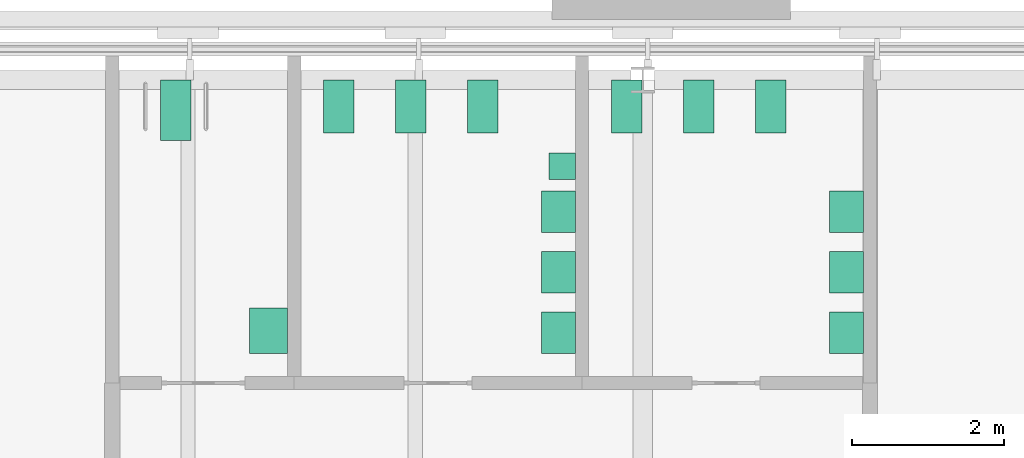
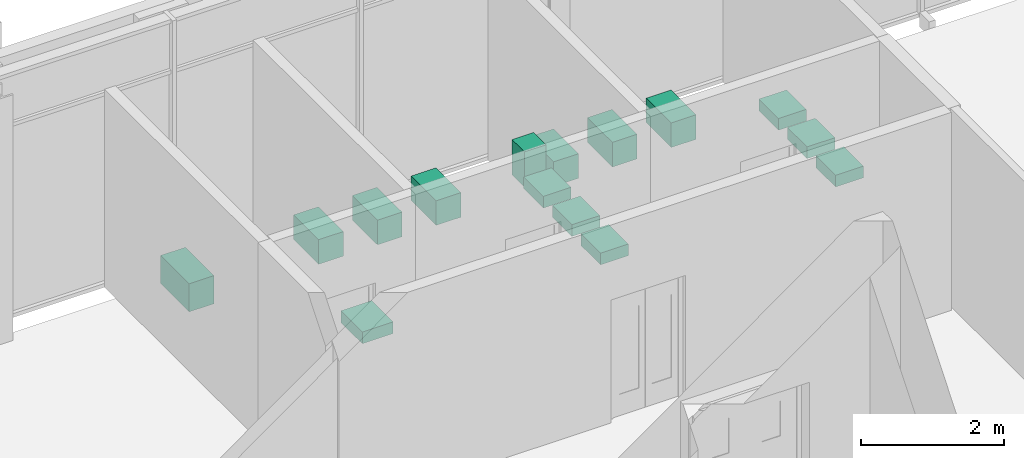
# One storey, part 22 of 22: 15 sanitary terminals.
"""IFC4 building model written with IfcOpenShell, lengths in metres."""

import ifcopenshell
import ifcopenshell.guid

model = None  # the IFC model being written
_history = None  # IfcOwnerHistory: only IFC2X3 demands one
_inside = {}  # id of a spatial element -> (the spatial element, [elements in it])
_under = {}  # id of a project, library or spatial element -> (it, [spatial elements below it])
_declared = {}  # id of a project -> (the project, [libraries it declares])
_typed = {}  # id of a type object -> (the type object, [elements of that type])
_made_of = {}  # id of a material, layer set ... -> (it, [elements and type objects made of it])


def new_model(schema):
    """Start an empty IFC model of exactly this schema.

    Asked for "IFC4X3", IfcOpenShell would pick the latest addendum, in which some entities
    have other attributes; the version numbers below select the first issue.
    IFC2X3 requires an IfcOwnerHistory on every rooted entity: one is made here for all.
    """
    global model, _history
    if schema == "IFC4X3":
        model = ifcopenshell.file(schema_version=(4, 3, 0, 0))
    else:
        model = ifcopenshell.file(schema=schema)
    _inside.clear()
    _under.clear()
    _declared.clear()
    _typed.clear()
    _made_of.clear()
    _history = None
    if model.schema == "IFC2X3":
        org = make("IfcOrganization", Name="unknown")
        user = make(
            "IfcPersonAndOrganization",
            ThePerson=make("IfcPerson", FamilyName="unknown"),
            TheOrganization=org,
        )
        app = make(
            "IfcApplication",
            ApplicationDeveloper=org,
            Version="unknown",
            ApplicationFullName="unknown",
            ApplicationIdentifier="unknown",
        )
        _history = make(
            "IfcOwnerHistory",
            OwningUser=user,
            OwningApplication=app,
            ChangeAction="ADDED",
            CreationDate=0,
        )
    return model


def make(cls, **values):
    """One entity of the class cls with the attributes given. An attribute that is None is left unset."""
    return model.create_entity(
        cls, **{name: value for name, value in values.items() if value is not None}
    )


def rooted(cls, **values):
    """An entity with a GlobalId (a new one), such as an element, a storey or a relation."""
    return make(cls, GlobalId=ifcopenshell.guid.new(), OwnerHistory=_history, **values)


def si_unit(unit_type, name, prefix=None):
    """IfcSIUnit, for example si_unit("LENGTHUNIT", "METRE", prefix="MILLI")."""
    return make("IfcSIUnit", UnitType=unit_type, Prefix=prefix, Name=name)


def assignment(units):
    """IfcUnitAssignment: the units of a project."""
    return None if units is None else make("IfcUnitAssignment", Units=units)


def point(xyz):
    """IfcCartesianPoint."""
    return None if xyz is None else make("IfcCartesianPoint", Coordinates=xyz)


def direction(xyz):
    """IfcDirection."""
    return None if xyz is None else make("IfcDirection", DirectionRatios=xyz)


def frame(location, z_axis=None, x_axis=None):
    """IfcAxis2Placement3D, a coordinate frame: its origin and axes. An axis left out is left unset."""
    return make(
        "IfcAxis2Placement3D",
        Location=point(location),
        Axis=direction(z_axis),
        RefDirection=direction(x_axis),
    )


def frame_2d(location, x_axis=None):
    """IfcAxis2Placement2D, a coordinate frame in the plane: its origin and x axis."""
    return make(
        "IfcAxis2Placement2D", Location=point(location), RefDirection=direction(x_axis)
    )


def origin():
    """The frame at (0, 0, 0) with its axes left unset."""
    return frame((0.0, 0.0, 0.0))


def origin_2d():
    """The frame at (0, 0) in the plane with its x axis left unset."""
    return frame_2d((0.0, 0.0))


def place(relative_to, where):
    """IfcLocalPlacement: puts the frame where relative to a parent placement (None: the world)."""
    return make(
        "IfcLocalPlacement", PlacementRelTo=relative_to, RelativePlacement=where
    )


def context(
    kind, dimensions, precision=None, world=None, true_north=None, identifier=None
):
    """IfcGeometricRepresentationContext, for example the 3D "Model" context."""
    return make(
        "IfcGeometricRepresentationContext",
        ContextIdentifier=identifier,
        ContextType=kind,
        CoordinateSpaceDimension=dimensions,
        Precision=precision,
        WorldCoordinateSystem=world,
        TrueNorth=true_north,
    )


def subcontext(parent, identifier, kind, view, scale=None):
    """IfcGeometricRepresentationSubContext, for example "Body" below "Model"."""
    return make(
        "IfcGeometricRepresentationSubContext",
        ContextIdentifier=identifier,
        ContextType=kind,
        ParentContext=parent,
        TargetScale=scale,
        TargetView=view,
    )


def project(units=None, contexts=None):
    """IfcProject with its units and contexts."""
    return rooted(
        "IfcProject",
        Name="project",
        RepresentationContexts=contexts,
        UnitsInContext=assignment(units),
    )


def spatial(cls, under=None, at=None, **own):
    """A site, building, storey or space (cls), placed at a placement, below another one or the project."""
    s = rooted(cls, ObjectPlacement=at, **own)
    if under is not None:
        _under.setdefault(under.id(), (under, []))[1].append(s)
    return s


def profile(cls, at=None, kind="AREA", **sizes):
    """A parametric profile (cls). Its sizes go by their IFC names, for example OverallWidth=200.0."""
    return make(cls, ProfileType=kind, Position=at, **sizes)


def rectangle(**sizes):
    """IfcRectangleProfileDef."""
    return profile("IfcRectangleProfileDef", **sizes)


def extrude(swept, where, along, depth):
    """IfcExtrudedAreaSolid: the profile swept, set in the frame where, extruded along a direction by depth."""
    return make(
        "IfcExtrudedAreaSolid",
        SweptArea=swept,
        Position=where,
        ExtrudedDirection=direction(along),
        Depth=depth,
    )


def shape(context_of_items, identifier, shape_type, items):
    """IfcShapeRepresentation: the items that make up one representation, for example the "Body"."""
    return make(
        "IfcShapeRepresentation",
        ContextOfItems=context_of_items,
        RepresentationIdentifier=identifier,
        RepresentationType=shape_type,
        Items=items,
    )


def material(Name=None, Category=None):
    """IfcMaterial."""
    return make("IfcMaterial", Name=Name, Category=Category)


def made_of(thing, what):
    """Note that an element or type object is made of a material, layer set ...; save() writes the relation."""
    if what is not None:
        _made_of.setdefault(what.id(), (what, []))[1].append(thing)
    return thing


def type_object(cls, material=None, **own):
    """A type object (cls), such as IfcWallType, which elements share."""
    return made_of(rooted(cls, **own), material)


def element(
    cls,
    number,
    at=None,
    inside=None,
    cuts=None,
    type_object=None,
    material=None,
    context=None,
    identifier="Body",
    shape_type=None,
    held_by="IfcProductDefinitionShape",
    body=None,
    shapes=None,
    **own,
):
    """One element of the class cls, such as IfcWall. Its Tag is "e" and its number.

    at: its placement. inside: the storey or other place that contains it. cuts: it is an
    opening in that element (IfcRelVoidsElement). A single representation is given by context,
    identifier, shape_type and body (its items); several are given by shapes. held_by: the class
    of the entity that holds the representations. save() writes the other relations.
    """
    e = rooted(cls, Tag="e%d" % number, ObjectPlacement=at, **own)
    if body is not None:
        shapes = [shape(context, identifier, shape_type, body)]
    if shapes is not None:
        e.Representation = make(held_by, Representations=shapes)
    if inside is not None:
        _inside.setdefault(inside.id(), (inside, []))[1].append(e)
    if cuts is not None:
        rooted(
            "IfcRelVoidsElement", RelatingBuildingElement=cuts, RelatedOpeningElement=e
        )
    if type_object is not None:
        _typed.setdefault(type_object.id(), (type_object, []))[1].append(e)
    return made_of(e, material)


def aggregate(whole, parts):
    """IfcRelAggregates: a whole, such as a stair, and the parts it consists of."""
    return rooted("IfcRelAggregates", RelatingObject=whole, RelatedObjects=parts)


def save(model, path):
    """Write the relations noted so far, then the file.

    IfcRelAggregates (storeys below a building ...), IfcRelContainedInSpatialStructure (elements
    in a storey), IfcRelDefinesByType, IfcRelAssociatesMaterial and IfcRelDeclares: one each for
    every whole, place, type object, material and project.
    """
    for whole, parts in _under.values():
        aggregate(whole, parts)
    for where, things in _inside.values():
        rooted(
            "IfcRelContainedInSpatialStructure",
            RelatedElements=things,
            RelatingStructure=where,
        )
    for kind, things in _typed.values():
        rooted("IfcRelDefinesByType", RelatedObjects=things, RelatingType=kind)
    for what, things in _made_of.values():
        rooted("IfcRelAssociatesMaterial", RelatedObjects=things, RelatingMaterial=what)
    for by, libraries in _declared.values():
        rooted("IfcRelDeclares", RelatingContext=by, RelatedDefinitions=libraries)
    model.write(path)


model = new_model("IFC4")

# Units and contexts
model_context = context("Model", 3, precision=1e-05, world=origin(), true_north=direction((0.0, 1.0)))
body_context = subcontext(model_context, "Body", "Model", "MODEL_VIEW")
ifc_project = project(units=[si_unit("LENGTHUNIT", "METRE"), si_unit("AREAUNIT", "SQUARE_METRE"), si_unit("VOLUMEUNIT", "CUBIC_METRE"), si_unit("PLANEANGLEUNIT", "RADIAN"), si_unit("MASSUNIT", "GRAM", prefix="KILO")], contexts=[model_context])

# Site, building, storey
site_placement = place(None, origin())
site = spatial("IfcSite", under=ifc_project, at=site_placement, CompositionType="ELEMENT")
building_placement = place(site_placement, origin())
building = spatial("IfcBuilding", under=site, at=building_placement, Name="Baradari Gate Terminus", CompositionType="ELEMENT")
storey_placement = place(building_placement, frame((0.0, 0.0, 28.5)))
storey = spatial("IfcBuildingStorey", under=building, at=storey_placement, Name="L06", CompositionType="ELEMENT", Elevation=28.5)

# Sanitary terminals
ifc_material_1 = material(Name="Vitreous china", Category="ceramic")
sanitary_terminal_type_1 = type_object("IfcSanitaryTerminalType", Name="Accessible WC pan SW-5", PredefinedType="TOILETPAN", material=ifc_material_1)
sanitary_terminal_1_placement = place(storey_placement, frame((38.83740234375, 143.60009765625, 0.0), z_axis=(0.0, 0.0, 1.0), x_axis=(1.0, 0.0, 0.0)))
element("IfcSanitaryTerminal", 1, at=sanitary_terminal_1_placement, inside=storey, type_object=sanitary_terminal_type_1, Name="Accessible WC pan Accessible WC", PredefinedType="TOILETPAN", context=body_context, shape_type="SweptSolid", body=[
    extrude(rectangle(XDim=0.39990234375, YDim=0.800048828125, at=origin_2d()), origin(), (0.0, 0.0, 1.0), 0.47998046875),
])
ifc_material_2 = material(Name="Vitreous china", Category="ceramic")
sanitary_terminal_type_2 = type_object("IfcSanitaryTerminalType", Name="Accessible wash basin SW-6", PredefinedType="WASHHANDBASIN", material=ifc_material_2)
sanitary_terminal_2_placement = place(storey_placement, frame((40.0625, 140.6875, 0.75), z_axis=(0.0, 0.0, 1.0), x_axis=(1.0, 0.0, 0.0)))
element("IfcSanitaryTerminal", 2, at=sanitary_terminal_2_placement, inside=storey, type_object=sanitary_terminal_type_2, Name="Accessible wash basin Accessible WC", PredefinedType="WASHHANDBASIN", context=body_context, shape_type="SweptSolid", body=[
    extrude(rectangle(XDim=0.5, YDim=0.60009765625, at=origin_2d()), origin(), (0.0, 0.0, 1.0), 0.199951171875),
])
ifc_material_3 = material(Name="Vitreous china", Category="ceramic")
sanitary_terminal_type_3 = type_object("IfcSanitaryTerminalType", Name="Urinal SW-3", PredefinedType="URINAL", material=ifc_material_3)
sanitary_terminal_3_placement = place(storey_placement, frame((43.9375, 142.862548828125, 0.64990234375), z_axis=(0.0, 0.0, 1.0), x_axis=(1.0, 0.0, 0.0)))
element("IfcSanitaryTerminal", 3, at=sanitary_terminal_3_placement, inside=storey, type_object=sanitary_terminal_type_3, Name="Urinal Male WC", PredefinedType="URINAL", context=body_context, shape_type="SweptSolid", body=[
    extrude(rectangle(XDim=0.35009765625, YDim=0.35009765625, at=origin_2d()), origin(), (0.0, 0.0, 1.0), 0.60009765625),
])
ifc_material_4 = material(Name="Vitreous china", Category="ceramic")
sanitary_terminal_type_4 = type_object("IfcSanitaryTerminalType", Name="WC pan SW-1", PredefinedType="TOILETPAN", material=ifc_material_4)
for number, where, z_axis, x_axis, name in (
    (4, (40.987548828125, 143.64990234375, 0.0), (0.0, 0.0, 1.0), (1.0, 0.0, 0.0), "WC pan Male WC"),
    (5, (41.9375, 143.64990234375, 0.0), (0.0, 0.0, 1.0), (1.0, 0.0, 0.0), "WC pan Male WC"),
    (6, (42.887451171875, 143.64990234375, 0.0), (0.0, 0.0, 1.0), (1.0, 0.0, 0.0), "WC pan Male WC"),
    (7, (44.78759765625, 143.64990234375, 0.0), (0.0, 0.0, 1.0), (1.0, 0.0, 0.0), "WC pan Female WC"),
    (8, (45.737548828125, 143.64990234375, 0.0), (0.0, 0.0, 1.0), (1.0, 0.0, 0.0), "WC pan Female WC"),
    (9, (46.6875, 143.64990234375, 0.0), (0.0, 0.0, 1.0), (1.0, 0.0, 0.0), "WC pan Female WC"),
):
    element("IfcSanitaryTerminal", number, at=place(storey_placement, frame(where, z_axis=z_axis, x_axis=x_axis)), inside=storey, type_object=sanitary_terminal_type_4, Name=name, PredefinedType="TOILETPAN", context=body_context, shape_type="SweptSolid", body=[
        extrude(rectangle(XDim=0.39990234375, YDim=0.699951171875, at=origin_2d()), origin(), (0.0, 0.0, 1.0), 0.419921875),
    ])
ifc_material_5 = material(Name="Vitreous china", Category="ceramic")
sanitary_terminal_type_5 = type_object("IfcSanitaryTerminalType", Name="Wash basin SW-2", PredefinedType="WASHHANDBASIN", material=ifc_material_5)
for number, where, z_axis, x_axis, name in (
    (10, (43.887451171875, 140.66259765625, 0.75), (0.0, 0.0, 1.0), (1.0, 0.0, 0.0), "Wash basin Male WC"),
    (11, (43.887451171875, 141.46240234375, 0.75), (0.0, 0.0, 1.0), (1.0, 0.0, 0.0), "Wash basin Male WC"),
    (12, (43.887451171875, 142.262451171875, 0.75), (0.0, 0.0, 1.0), (1.0, 0.0, 0.0), "Wash basin Male WC"),
    (13, (47.6875, 140.66259765625, 0.75), (0.0, 0.0, 1.0), (1.0, 0.0, 0.0), "Wash basin Female WC"),
    (14, (47.6875, 141.46240234375, 0.75), (0.0, 0.0, 1.0), (1.0, 0.0, 0.0), "Wash basin Female WC"),
    (15, (47.6875, 142.262451171875, 0.75), (0.0, 0.0, 1.0), (1.0, 0.0, 0.0), "Wash basin Female WC"),
):
    element("IfcSanitaryTerminal", number, at=place(storey_placement, frame(where, z_axis=z_axis, x_axis=x_axis)), inside=storey, type_object=sanitary_terminal_type_5, Name=name, PredefinedType="WASHHANDBASIN", context=body_context, shape_type="SweptSolid", body=[
        extrude(rectangle(XDim=0.449951171875, YDim=0.550048828125, at=origin_2d()), origin(), (0.0, 0.0, 1.0), 0.199951171875),
    ])

save(model, "model.ifc")
